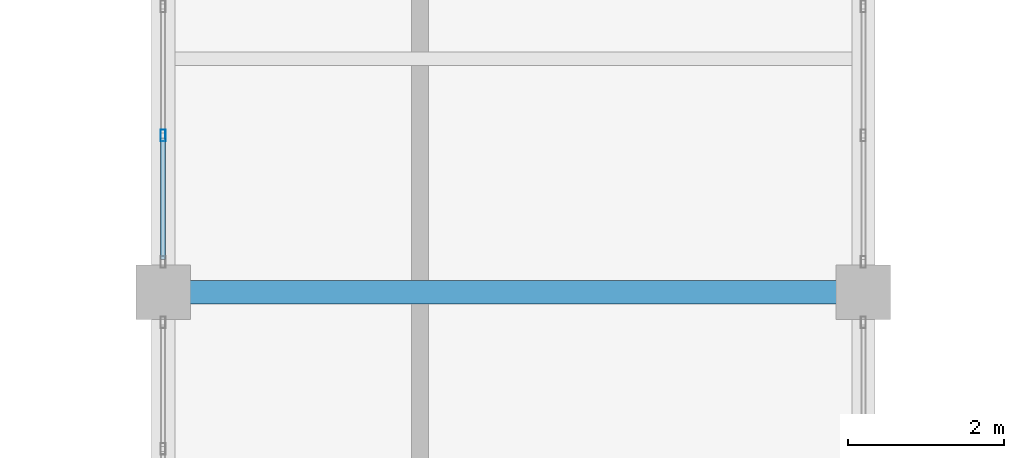
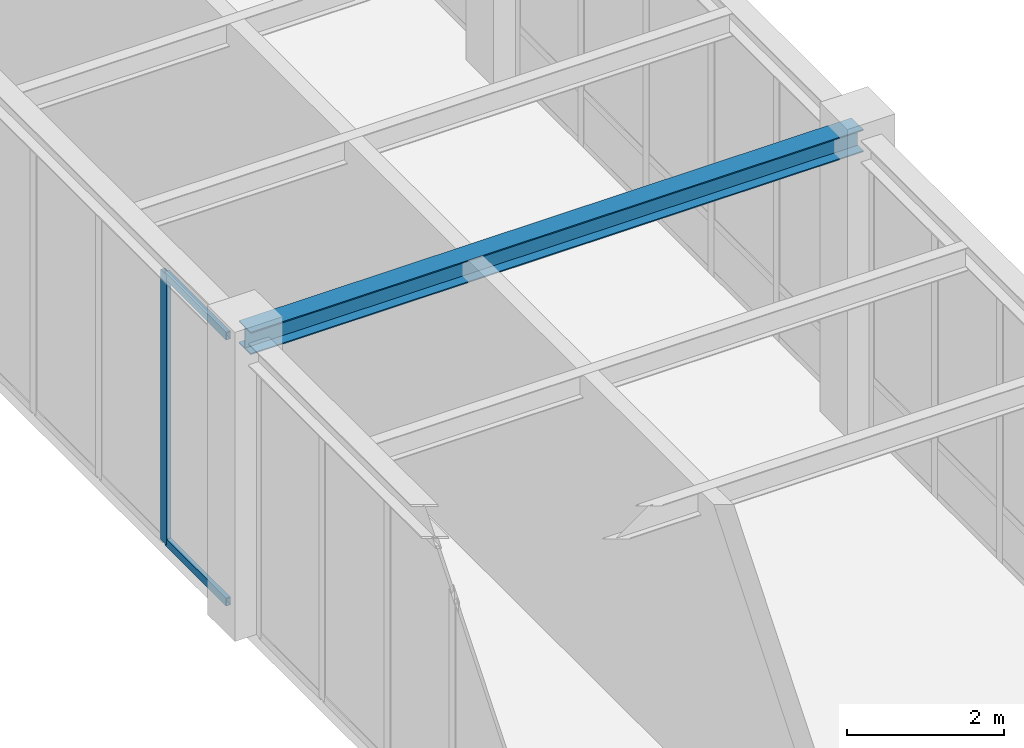
# One storey, part 47 of 92: 3 members, 1 beam, 1 element without a shape of its own.
"""IFC4 building model written with IfcOpenShell, lengths in metres."""

import ifcopenshell
import ifcopenshell.guid

model = None  # the IFC model being written
_history = None  # IfcOwnerHistory: only IFC2X3 demands one
_inside = {}  # id of a spatial element -> (the spatial element, [elements in it])
_under = {}  # id of a project, library or spatial element -> (it, [spatial elements below it])
_declared = {}  # id of a project -> (the project, [libraries it declares])
_typed = {}  # id of a type object -> (the type object, [elements of that type])
_made_of = {}  # id of a material, layer set ... -> (it, [elements and type objects made of it])


def new_model(schema):
    """Start an empty IFC model of exactly this schema.

    Asked for "IFC4X3", IfcOpenShell would pick the latest addendum, in which some entities
    have other attributes; the version numbers below select the first issue.
    IFC2X3 requires an IfcOwnerHistory on every rooted entity: one is made here for all.
    """
    global model, _history
    if schema == "IFC4X3":
        model = ifcopenshell.file(schema_version=(4, 3, 0, 0))
    else:
        model = ifcopenshell.file(schema=schema)
    _inside.clear()
    _under.clear()
    _declared.clear()
    _typed.clear()
    _made_of.clear()
    _history = None
    if model.schema == "IFC2X3":
        org = make("IfcOrganization", Name="unknown")
        user = make(
            "IfcPersonAndOrganization",
            ThePerson=make("IfcPerson", FamilyName="unknown"),
            TheOrganization=org,
        )
        app = make(
            "IfcApplication",
            ApplicationDeveloper=org,
            Version="unknown",
            ApplicationFullName="unknown",
            ApplicationIdentifier="unknown",
        )
        _history = make(
            "IfcOwnerHistory",
            OwningUser=user,
            OwningApplication=app,
            ChangeAction="ADDED",
            CreationDate=0,
        )
    return model


def make(cls, **values):
    """One entity of the class cls with the attributes given. An attribute that is None is left unset."""
    return model.create_entity(
        cls, **{name: value for name, value in values.items() if value is not None}
    )


def rooted(cls, **values):
    """An entity with a GlobalId (a new one), such as an element, a storey or a relation."""
    return make(cls, GlobalId=ifcopenshell.guid.new(), OwnerHistory=_history, **values)


def si_unit(unit_type, name, prefix=None):
    """IfcSIUnit, for example si_unit("LENGTHUNIT", "METRE", prefix="MILLI")."""
    return make("IfcSIUnit", UnitType=unit_type, Prefix=prefix, Name=name)


def assignment(units):
    """IfcUnitAssignment: the units of a project."""
    return None if units is None else make("IfcUnitAssignment", Units=units)


def point(xyz):
    """IfcCartesianPoint."""
    return None if xyz is None else make("IfcCartesianPoint", Coordinates=xyz)


def direction(xyz):
    """IfcDirection."""
    return None if xyz is None else make("IfcDirection", DirectionRatios=xyz)


def frame(location, z_axis=None, x_axis=None):
    """IfcAxis2Placement3D, a coordinate frame: its origin and axes. An axis left out is left unset."""
    return make(
        "IfcAxis2Placement3D",
        Location=point(location),
        Axis=direction(z_axis),
        RefDirection=direction(x_axis),
    )


def frame_2d(location, x_axis=None):
    """IfcAxis2Placement2D, a coordinate frame in the plane: its origin and x axis."""
    return make(
        "IfcAxis2Placement2D", Location=point(location), RefDirection=direction(x_axis)
    )


def origin():
    """The frame at (0, 0, 0) with its axes left unset."""
    return frame((0.0, 0.0, 0.0))


def origin_2d():
    """The frame at (0, 0) in the plane with its x axis left unset."""
    return frame_2d((0.0, 0.0))


def place(relative_to, where):
    """IfcLocalPlacement: puts the frame where relative to a parent placement (None: the world)."""
    return make(
        "IfcLocalPlacement", PlacementRelTo=relative_to, RelativePlacement=where
    )


def context(
    kind, dimensions, precision=None, world=None, true_north=None, identifier=None
):
    """IfcGeometricRepresentationContext, for example the 3D "Model" context."""
    return make(
        "IfcGeometricRepresentationContext",
        ContextIdentifier=identifier,
        ContextType=kind,
        CoordinateSpaceDimension=dimensions,
        Precision=precision,
        WorldCoordinateSystem=world,
        TrueNorth=true_north,
    )


def subcontext(parent, identifier, kind, view, scale=None):
    """IfcGeometricRepresentationSubContext, for example "Body" below "Model"."""
    return make(
        "IfcGeometricRepresentationSubContext",
        ContextIdentifier=identifier,
        ContextType=kind,
        ParentContext=parent,
        TargetScale=scale,
        TargetView=view,
    )


def project(units=None, contexts=None):
    """IfcProject with its units and contexts."""
    return rooted(
        "IfcProject",
        Name="project",
        RepresentationContexts=contexts,
        UnitsInContext=assignment(units),
    )


def spatial(cls, under=None, at=None, **own):
    """A site, building, storey or space (cls), placed at a placement, below another one or the project."""
    s = rooted(cls, ObjectPlacement=at, **own)
    if under is not None:
        _under.setdefault(under.id(), (under, []))[1].append(s)
    return s


def profile(cls, at=None, kind="AREA", **sizes):
    """A parametric profile (cls). Its sizes go by their IFC names, for example OverallWidth=200.0."""
    return make(cls, ProfileType=kind, Position=at, **sizes)


def hollow_rectangle(**sizes):
    """IfcRectangleHollowProfileDef."""
    return profile("IfcRectangleHollowProfileDef", **sizes)


def i_section(**sizes):
    """IfcIShapeProfileDef."""
    return profile("IfcIShapeProfileDef", **sizes)


def extrude(swept, where, along, depth):
    """IfcExtrudedAreaSolid: the profile swept, set in the frame where, extruded along a direction by depth."""
    return make(
        "IfcExtrudedAreaSolid",
        SweptArea=swept,
        Position=where,
        ExtrudedDirection=direction(along),
        Depth=depth,
    )


def shape(context_of_items, identifier, shape_type, items):
    """IfcShapeRepresentation: the items that make up one representation, for example the "Body"."""
    return make(
        "IfcShapeRepresentation",
        ContextOfItems=context_of_items,
        RepresentationIdentifier=identifier,
        RepresentationType=shape_type,
        Items=items,
    )


def material(Name=None, Category=None):
    """IfcMaterial."""
    return make("IfcMaterial", Name=Name, Category=Category)


def material_profile(
    of_material, cross_section, Name=None, Category=None, Priority=None
):
    """IfcMaterialProfile: a cross section and its material."""
    return make(
        "IfcMaterialProfile",
        Name=Name,
        Material=of_material,
        Profile=cross_section,
        Priority=Priority,
        Category=Category,
    )


def profile_set(profiles, Name=None, composite=None):
    """IfcMaterialProfileSet."""
    return make(
        "IfcMaterialProfileSet",
        Name=Name,
        MaterialProfiles=profiles,
        CompositeProfile=composite,
    )


def made_of(thing, what):
    """Note that an element or type object is made of a material, layer set ...; save() writes the relation."""
    if what is not None:
        _made_of.setdefault(what.id(), (what, []))[1].append(thing)
    return thing


def type_object(cls, material=None, **own):
    """A type object (cls), such as IfcWallType, which elements share."""
    return made_of(rooted(cls, **own), material)


def element(
    cls,
    number,
    at=None,
    inside=None,
    cuts=None,
    type_object=None,
    material=None,
    context=None,
    identifier="Body",
    shape_type=None,
    held_by="IfcProductDefinitionShape",
    body=None,
    shapes=None,
    **own,
):
    """One element of the class cls, such as IfcWall. Its Tag is "e" and its number.

    at: its placement. inside: the storey or other place that contains it. cuts: it is an
    opening in that element (IfcRelVoidsElement). A single representation is given by context,
    identifier, shape_type and body (its items); several are given by shapes. held_by: the class
    of the entity that holds the representations. save() writes the other relations.
    """
    e = rooted(cls, Tag="e%d" % number, ObjectPlacement=at, **own)
    if body is not None:
        shapes = [shape(context, identifier, shape_type, body)]
    if shapes is not None:
        e.Representation = make(held_by, Representations=shapes)
    if inside is not None:
        _inside.setdefault(inside.id(), (inside, []))[1].append(e)
    if cuts is not None:
        rooted(
            "IfcRelVoidsElement", RelatingBuildingElement=cuts, RelatedOpeningElement=e
        )
    if type_object is not None:
        _typed.setdefault(type_object.id(), (type_object, []))[1].append(e)
    return made_of(e, material)


def aggregate(whole, parts):
    """IfcRelAggregates: a whole, such as a stair, and the parts it consists of."""
    return rooted("IfcRelAggregates", RelatingObject=whole, RelatedObjects=parts)


def save(model, path):
    """Write the relations noted so far, then the file.

    IfcRelAggregates (storeys below a building ...), IfcRelContainedInSpatialStructure (elements
    in a storey), IfcRelDefinesByType, IfcRelAssociatesMaterial and IfcRelDeclares: one each for
    every whole, place, type object, material and project.
    """
    for whole, parts in _under.values():
        aggregate(whole, parts)
    for where, things in _inside.values():
        rooted(
            "IfcRelContainedInSpatialStructure",
            RelatedElements=things,
            RelatingStructure=where,
        )
    for kind, things in _typed.values():
        rooted("IfcRelDefinesByType", RelatedObjects=things, RelatingType=kind)
    for what, things in _made_of.values():
        rooted("IfcRelAssociatesMaterial", RelatedObjects=things, RelatingMaterial=what)
    for by, libraries in _declared.values():
        rooted("IfcRelDeclares", RelatingContext=by, RelatedDefinitions=libraries)
    model.write(path)


model = new_model("IFC4")

# Units and contexts
model_context = context("Model", 3, precision=1e-05, world=origin(), true_north=direction((0.0, 1.0)))
body_context = subcontext(model_context, "Body", "Model", "MODEL_VIEW")
ifc_project = project(units=[si_unit("LENGTHUNIT", "METRE"), si_unit("AREAUNIT", "SQUARE_METRE"), si_unit("VOLUMEUNIT", "CUBIC_METRE"), si_unit("PLANEANGLEUNIT", "RADIAN"), si_unit("MASSUNIT", "GRAM", prefix="KILO")], contexts=[model_context])

# Site, building, storey
site_placement = place(None, origin())
site = spatial("IfcSite", under=ifc_project, at=site_placement, CompositionType="ELEMENT")
building_placement = place(site_placement, origin())
building = spatial("IfcBuilding", under=site, at=building_placement, Name="Lykobir Media Centre", CompositionType="ELEMENT")
storey_placement = place(building_placement, frame((0.0, 0.0, 5.39990234375)))
storey = spatial("IfcBuildingStorey", under=building, at=storey_placement, Name="L01", CompositionType="ELEMENT", Elevation=5.39990234375)

# Curtain wall, members
ifc_material_1 = material(Name="Anodized Aluminium AW-6060", Category="aluminium")
curtain_wall_type = type_object("IfcCurtainWallType", Name="CW-BRIDGE", PredefinedType="NOTDEFINED", material=ifc_material_1)
curtain_wall_placement = place(storey_placement, origin())
curtain_wall = element("IfcCurtainWall", 1, at=curtain_wall_placement, inside=storey, type_object=curtain_wall_type, Name="Curtain wall CW2-L01-0040", PredefinedType="NOTDEFINED")
ifc_material_profile_1 = material_profile(ifc_material_1, hollow_rectangle(XDim=0.06494140625, YDim=0.14990234375, WallThickness=0.00341796875, at=origin_2d()), Name="ALU MULLION 65x150")
ifc_profile_set_1 = profile_set([ifc_material_profile_1], Name="Anodized Aluminium AW-6060")
member_type_1 = type_object("IfcMemberType", Name="CWM-150", PredefinedType="MULLION", material=ifc_profile_set_1)
member_1_placement = place(storey_placement, frame((90.0, 47.012939453125, 0.0), z_axis=(0.0, 0.0, 1.0), x_axis=(-1.0, 0.0, 0.0)))
member_1 = element("IfcMember", 2, at=member_1_placement, type_object=member_type_1, Name="CW2-L01-0040 mullion 2", PredefinedType="MULLION", context=body_context, shape_type="SweptSolid", body=[
    extrude(hollow_rectangle(XDim=0.06494140625, YDim=0.14990234375, WallThickness=0.00341796875, at=origin_2d()), origin(), (0.0, 0.0, 1.0), 4.195068359375),
])
ifc_material_profile_2 = material_profile(ifc_material_1, hollow_rectangle(XDim=0.06494140625, YDim=0.1201171875, WallThickness=0.0029296875, at=origin_2d()), Name="ALU TRANSOM 65x120")
ifc_profile_set_2 = profile_set([ifc_material_profile_2], Name="Anodized Aluminium AW-6060")
member_type_2 = type_object("IfcMemberType", Name="CWT-120", PredefinedType="USERDEFINED", material=ifc_profile_set_2)
member_2_placement = place(storey_placement, frame((90.0, 45.419921875, 0.03271484375), z_axis=(0.0, 1.0, 0.0), x_axis=(-1.0, 0.0, 0.0)))
member_2 = element("IfcMember", 3, at=member_2_placement, type_object=member_type_2, Name="CW2-L01-0040 transom 1.1", ObjectType="TRANSOM", PredefinedType="USERDEFINED", context=body_context, shape_type="SweptSolid", body=[
    extrude(hollow_rectangle(XDim=0.06494140625, YDim=0.1201171875, WallThickness=0.0029296875, at=origin_2d()), origin(), (0.0, 0.0, 1.0), 1.560546875),
])
member_3_placement = place(storey_placement, frame((90.0, 45.419921875, 4.16259765625), z_axis=(0.0, 1.0, 0.0), x_axis=(-1.0, 0.0, 0.0)))
member_3 = element("IfcMember", 4, at=member_3_placement, type_object=member_type_2, Name="CW2-L01-0040 transom 1.2", ObjectType="TRANSOM", PredefinedType="USERDEFINED", context=body_context, shape_type="SweptSolid", body=[
    extrude(hollow_rectangle(XDim=0.06494140625, YDim=0.1201171875, WallThickness=0.0029296875, at=origin_2d()), origin(), (0.0, 0.0, 1.0), 1.560546875),
])
aggregate(curtain_wall, [member_1, member_2, member_3])

# Beam
ifc_material_2 = material(Name="Steel S355", Category="steel")
ifc_material_profile_3 = material_profile(ifc_material_2, i_section(OverallWidth=0.300048828125, OverallDepth=0.35009765625, WebThickness=0.010009765625, FlangeThickness=0.017578125, at=origin_2d()), Name="HEA 360")
ifc_profile_set_3 = profile_set([ifc_material_profile_3], Name="Steel S355")
beam_type = type_object("IfcBeamType", Name="SP-HEA360", PredefinedType="SPANDREL", material=ifc_profile_set_3)
beam_placement = place(storey_placement, frame((90.0, 45.0, 4.385009765625), z_axis=(1.0, 0.0, 0.0), x_axis=(0.0, 1.0, 0.0)))
element("IfcBeam", 5, at=beam_placement, inside=storey, type_object=beam_type, Name="Beam BM-L01-0900-0450-0990-0450-978", PredefinedType="SPANDREL", context=body_context, shape_type="SweptSolid", body=[
    extrude(i_section(OverallWidth=0.300048828125, OverallDepth=0.35009765625, WebThickness=0.010009765625, FlangeThickness=0.017578125, at=origin_2d()), origin(), (0.0, 0.0, 1.0), 9.0),
])

save(model, "model.ifc")
